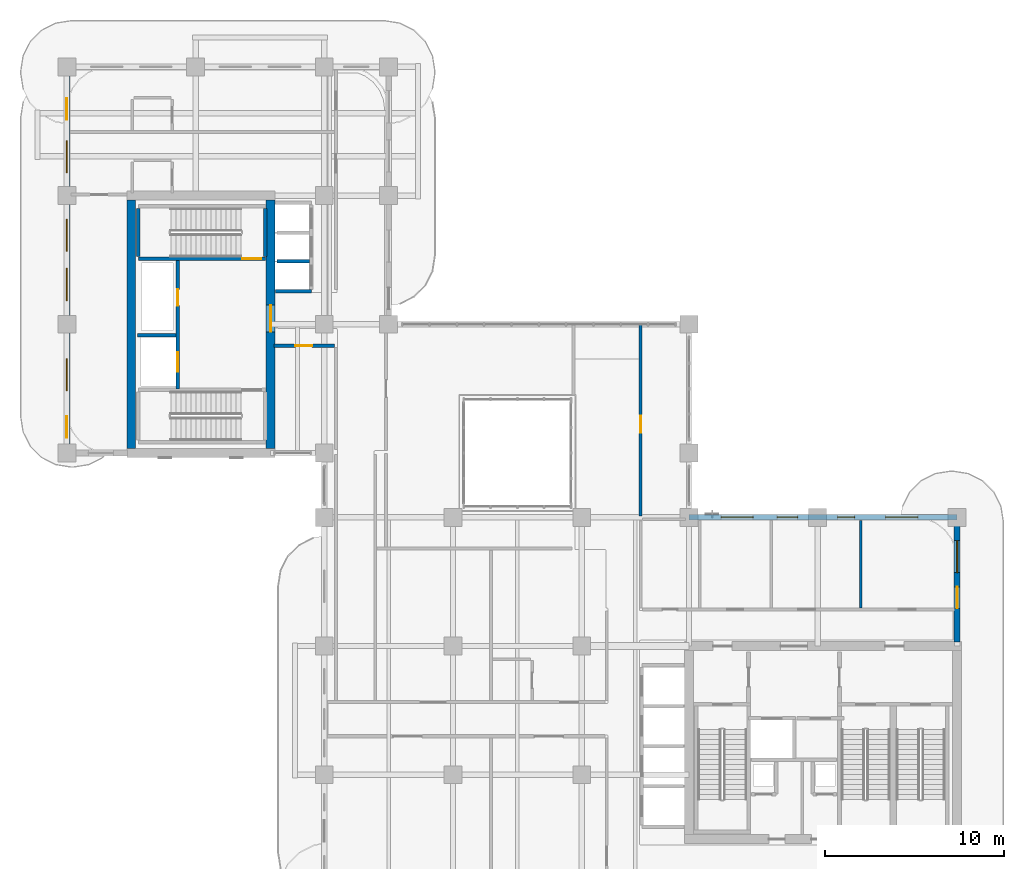
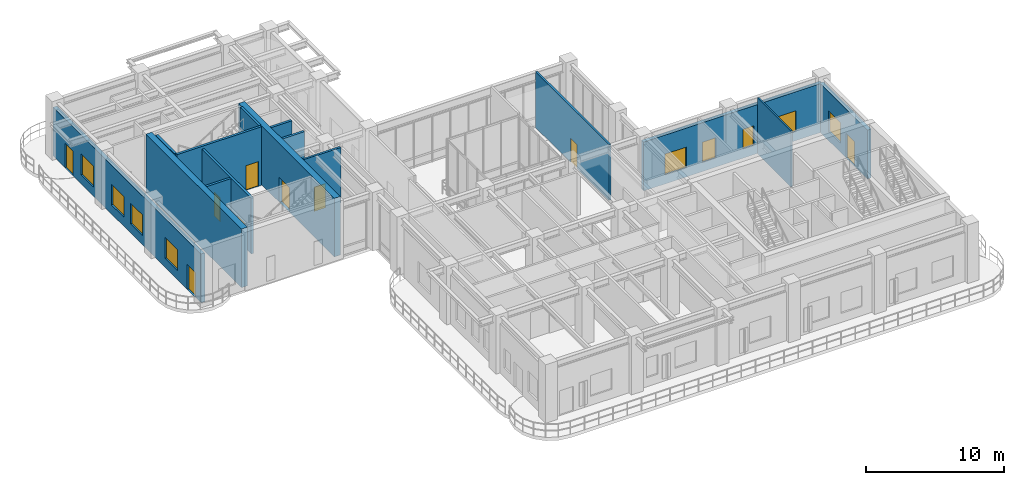
# One storey, part 14 of 21: 15 walls, 9 doors, 9 windows, 18 openings.
"""IFC4 building model written with IfcOpenShell, lengths in metres."""

import ifcopenshell
import ifcopenshell.guid

model = None  # the IFC model being written
_history = None  # IfcOwnerHistory: only IFC2X3 demands one
_inside = {}  # id of a spatial element -> (the spatial element, [elements in it])
_under = {}  # id of a project, library or spatial element -> (it, [spatial elements below it])
_declared = {}  # id of a project -> (the project, [libraries it declares])
_typed = {}  # id of a type object -> (the type object, [elements of that type])
_made_of = {}  # id of a material, layer set ... -> (it, [elements and type objects made of it])


def new_model(schema):
    """Start an empty IFC model of exactly this schema.

    Asked for "IFC4X3", IfcOpenShell would pick the latest addendum, in which some entities
    have other attributes; the version numbers below select the first issue.
    IFC2X3 requires an IfcOwnerHistory on every rooted entity: one is made here for all.
    """
    global model, _history
    if schema == "IFC4X3":
        model = ifcopenshell.file(schema_version=(4, 3, 0, 0))
    else:
        model = ifcopenshell.file(schema=schema)
    _inside.clear()
    _under.clear()
    _declared.clear()
    _typed.clear()
    _made_of.clear()
    _history = None
    if model.schema == "IFC2X3":
        org = make("IfcOrganization", Name="unknown")
        user = make(
            "IfcPersonAndOrganization",
            ThePerson=make("IfcPerson", FamilyName="unknown"),
            TheOrganization=org,
        )
        app = make(
            "IfcApplication",
            ApplicationDeveloper=org,
            Version="unknown",
            ApplicationFullName="unknown",
            ApplicationIdentifier="unknown",
        )
        _history = make(
            "IfcOwnerHistory",
            OwningUser=user,
            OwningApplication=app,
            ChangeAction="ADDED",
            CreationDate=0,
        )
    return model


def make(cls, **values):
    """One entity of the class cls with the attributes given. An attribute that is None is left unset."""
    return model.create_entity(
        cls, **{name: value for name, value in values.items() if value is not None}
    )


def rooted(cls, **values):
    """An entity with a GlobalId (a new one), such as an element, a storey or a relation."""
    return make(cls, GlobalId=ifcopenshell.guid.new(), OwnerHistory=_history, **values)


def si_unit(unit_type, name, prefix=None):
    """IfcSIUnit, for example si_unit("LENGTHUNIT", "METRE", prefix="MILLI")."""
    return make("IfcSIUnit", UnitType=unit_type, Prefix=prefix, Name=name)


def derived_unit(unit_type, elements):
    """IfcDerivedUnit: a product of units, each with its exponent."""
    return make(
        "IfcDerivedUnit",
        Elements=[
            make("IfcDerivedUnitElement", Unit=unit, Exponent=power)
            for unit, power in elements
        ],
        UnitType=unit_type,
    )


def assignment(units):
    """IfcUnitAssignment: the units of a project."""
    return None if units is None else make("IfcUnitAssignment", Units=units)


def point(xyz):
    """IfcCartesianPoint."""
    return None if xyz is None else make("IfcCartesianPoint", Coordinates=xyz)


def direction(xyz):
    """IfcDirection."""
    return None if xyz is None else make("IfcDirection", DirectionRatios=xyz)


def frame(location, z_axis=None, x_axis=None):
    """IfcAxis2Placement3D, a coordinate frame: its origin and axes. An axis left out is left unset."""
    return make(
        "IfcAxis2Placement3D",
        Location=point(location),
        Axis=direction(z_axis),
        RefDirection=direction(x_axis),
    )


def frame_2d(location, x_axis=None):
    """IfcAxis2Placement2D, a coordinate frame in the plane: its origin and x axis."""
    return make(
        "IfcAxis2Placement2D", Location=point(location), RefDirection=direction(x_axis)
    )


def origin():
    """The frame at (0, 0, 0) with its axes left unset."""
    return frame((0.0, 0.0, 0.0))


def place(relative_to, where):
    """IfcLocalPlacement: puts the frame where relative to a parent placement (None: the world)."""
    return make(
        "IfcLocalPlacement", PlacementRelTo=relative_to, RelativePlacement=where
    )


def context(
    kind, dimensions, precision=None, world=None, true_north=None, identifier=None
):
    """IfcGeometricRepresentationContext, for example the 3D "Model" context."""
    return make(
        "IfcGeometricRepresentationContext",
        ContextIdentifier=identifier,
        ContextType=kind,
        CoordinateSpaceDimension=dimensions,
        Precision=precision,
        WorldCoordinateSystem=world,
        TrueNorth=true_north,
    )


def subcontext(parent, identifier, kind, view, scale=None):
    """IfcGeometricRepresentationSubContext, for example "Body" below "Model"."""
    return make(
        "IfcGeometricRepresentationSubContext",
        ContextIdentifier=identifier,
        ContextType=kind,
        ParentContext=parent,
        TargetScale=scale,
        TargetView=view,
    )


def project(units=None, contexts=None):
    """IfcProject with its units and contexts."""
    return rooted(
        "IfcProject",
        Name="project",
        RepresentationContexts=contexts,
        UnitsInContext=assignment(units),
    )


def spatial(cls, under=None, at=None, **own):
    """A site, building, storey or space (cls), placed at a placement, below another one or the project."""
    s = rooted(cls, ObjectPlacement=at, **own)
    if under is not None:
        _under.setdefault(under.id(), (under, []))[1].append(s)
    return s


def profile(cls, at=None, kind="AREA", **sizes):
    """A parametric profile (cls). Its sizes go by their IFC names, for example OverallWidth=200.0."""
    return make(cls, ProfileType=kind, Position=at, **sizes)


def rectangle(**sizes):
    """IfcRectangleProfileDef."""
    return profile("IfcRectangleProfileDef", **sizes)


def extrude(swept, where, along, depth):
    """IfcExtrudedAreaSolid: the profile swept, set in the frame where, extruded along a direction by depth."""
    return make(
        "IfcExtrudedAreaSolid",
        SweptArea=swept,
        Position=where,
        ExtrudedDirection=direction(along),
        Depth=depth,
    )


def shape(context_of_items, identifier, shape_type, items):
    """IfcShapeRepresentation: the items that make up one representation, for example the "Body"."""
    return make(
        "IfcShapeRepresentation",
        ContextOfItems=context_of_items,
        RepresentationIdentifier=identifier,
        RepresentationType=shape_type,
        Items=items,
    )


def source(mapping_origin, context_of_items, identifier, shape_type, items):
    """IfcRepresentationMap: a shape defined once, which mapped items show again and again."""
    return make(
        "IfcRepresentationMap",
        MappingOrigin=mapping_origin,
        MappedRepresentation=shape(context_of_items, identifier, shape_type, items),
    )


def transform(
    local_origin,
    x_axis=None,
    y_axis=None,
    z_axis=None,
    scale=None,
    scale2=None,
    scale3=None,
    uniform=True,
):
    """IfcCartesianTransformationOperator3D, or its non-uniform kind. x_axis, y_axis, z_axis: its Axis1, 2, 3."""
    if uniform:
        return make(
            "IfcCartesianTransformationOperator3D",
            Axis1=direction(x_axis),
            Axis2=direction(y_axis),
            LocalOrigin=point(local_origin),
            Scale=scale,
            Axis3=direction(z_axis),
        )
    return make(
        "IfcCartesianTransformationOperator3DnonUniform",
        Axis1=direction(x_axis),
        Axis2=direction(y_axis),
        LocalOrigin=point(local_origin),
        Scale=scale,
        Axis3=direction(z_axis),
        Scale2=scale2,
        Scale3=scale3,
    )


def mapped(mapping_source, mapping_target):
    """IfcMappedItem: shows the shape of a source again, moved by a transform."""
    return make(
        "IfcMappedItem", MappingSource=mapping_source, MappingTarget=mapping_target
    )


def material(Name=None, Category=None):
    """IfcMaterial."""
    return make("IfcMaterial", Name=Name, Category=Category)


def layer(
    of_material, thickness, ventilated=None, Name=None, Category=None, Priority=None
):
    """IfcMaterialLayer: one layer of a wall or slab, of a material (None: an air gap)."""
    return make(
        "IfcMaterialLayer",
        Material=of_material,
        LayerThickness=thickness,
        IsVentilated=ventilated,
        Name=Name,
        Category=Category,
        Priority=Priority,
    )


def layer_set(layers, Name=None):
    """IfcMaterialLayerSet."""
    return make("IfcMaterialLayerSet", MaterialLayers=layers, LayerSetName=Name)


def made_of(thing, what):
    """Note that an element or type object is made of a material, layer set ...; save() writes the relation."""
    if what is not None:
        _made_of.setdefault(what.id(), (what, []))[1].append(thing)
    return thing


def type_object(cls, material=None, **own):
    """A type object (cls), such as IfcWallType, which elements share."""
    return made_of(rooted(cls, **own), material)


def type_shapes(of_type, sources):
    """Give a type object the sources (RepresentationMaps) that its elements show as mapped items."""
    of_type.RepresentationMaps = sources


def element(
    cls,
    number,
    at=None,
    inside=None,
    cuts=None,
    type_object=None,
    material=None,
    context=None,
    identifier="Body",
    shape_type=None,
    held_by="IfcProductDefinitionShape",
    body=None,
    shapes=None,
    **own,
):
    """One element of the class cls, such as IfcWall. Its Tag is "e" and its number.

    at: its placement. inside: the storey or other place that contains it. cuts: it is an
    opening in that element (IfcRelVoidsElement). A single representation is given by context,
    identifier, shape_type and body (its items); several are given by shapes. held_by: the class
    of the entity that holds the representations. save() writes the other relations.
    """
    e = rooted(cls, Tag="e%d" % number, ObjectPlacement=at, **own)
    if body is not None:
        shapes = [shape(context, identifier, shape_type, body)]
    if shapes is not None:
        e.Representation = make(held_by, Representations=shapes)
    if inside is not None:
        _inside.setdefault(inside.id(), (inside, []))[1].append(e)
    if cuts is not None:
        rooted(
            "IfcRelVoidsElement", RelatingBuildingElement=cuts, RelatedOpeningElement=e
        )
    if type_object is not None:
        _typed.setdefault(type_object.id(), (type_object, []))[1].append(e)
    return made_of(e, material)


def fill(opening, filler):
    """IfcRelFillsElement: the door or window that sits in an opening."""
    return rooted(
        "IfcRelFillsElement",
        RelatingOpeningElement=opening,
        RelatedBuildingElement=filler,
    )


def aggregate(whole, parts):
    """IfcRelAggregates: a whole, such as a stair, and the parts it consists of."""
    return rooted("IfcRelAggregates", RelatingObject=whole, RelatedObjects=parts)


def save(model, path):
    """Write the relations noted so far, then the file.

    IfcRelAggregates (storeys below a building ...), IfcRelContainedInSpatialStructure (elements
    in a storey), IfcRelDefinesByType, IfcRelAssociatesMaterial and IfcRelDeclares: one each for
    every whole, place, type object, material and project.
    """
    for whole, parts in _under.values():
        aggregate(whole, parts)
    for where, things in _inside.values():
        rooted(
            "IfcRelContainedInSpatialStructure",
            RelatedElements=things,
            RelatingStructure=where,
        )
    for kind, things in _typed.values():
        rooted("IfcRelDefinesByType", RelatedObjects=things, RelatingType=kind)
    for what, things in _made_of.values():
        rooted("IfcRelAssociatesMaterial", RelatedObjects=things, RelatingMaterial=what)
    for by, libraries in _declared.values():
        rooted("IfcRelDeclares", RelatingContext=by, RelatedDefinitions=libraries)
    model.write(path)


model = new_model("IFC4")

# Units and contexts
model_context = context("Model", 3, precision=1e-05, world=origin(), true_north=direction((0.0, 1.0)))
body_context = subcontext(model_context, "Body", "Model", "MODEL_VIEW")
ifc_project = project(units=[si_unit("LENGTHUNIT", "METRE"), si_unit("AREAUNIT", "SQUARE_METRE"), si_unit("VOLUMEUNIT", "CUBIC_METRE"), si_unit("PLANEANGLEUNIT", "RADIAN"), si_unit("MASSUNIT", "GRAM", prefix="KILO"), si_unit("THERMODYNAMICTEMPERATUREUNIT", "KELVIN"), si_unit("POWERUNIT", "WATT"), derived_unit("THERMALTRANSMITTANCEUNIT", [(si_unit("POWERUNIT", "WATT"), 1), (si_unit("AREAUNIT", "SQUARE_METRE"), -1), (si_unit("THERMODYNAMICTEMPERATUREUNIT", "KELVIN"), -1)])], contexts=[model_context])

# Site, building, storey
site_placement = place(None, origin())
site = spatial("IfcSite", under=ifc_project, at=site_placement, CompositionType="ELEMENT")
building_placement = place(site_placement, origin())
building = spatial("IfcBuilding", under=site, at=building_placement, Name="Zahravan Archway Hotel and Residences", CompositionType="ELEMENT")
storey_placement = place(building_placement, frame((0.0, 0.0, 145.10009765625)))
storey = spatial("IfcBuildingStorey", under=building, at=storey_placement, Name="L36", CompositionType="ELEMENT", Elevation=145.10009765625)

# Wall
ifc_material_1 = material(Name="Concrete C60/75", Category="concrete")
ifc_layer_1 = layer(ifc_material_1, 0.5, Name="Concrete C60/75", Category="concrete")
ifc_layer_set_1 = layer_set([ifc_layer_1], Name="Concrete C60/75")
wall_type_1 = type_object("IfcWallType", Name="CW-CORE-500", PredefinedType="SHEAR", material=ifc_layer_set_1)
wall_1_placement = place(storey_placement, frame((3.60009765625, 25.449951171875, 0.0), z_axis=(0.0, 0.0, 1.0), x_axis=(0.0, 1.0, 0.0)))
element("IfcWall", 1, at=wall_1_placement, inside=storey, type_object=wall_type_1, Name="L36 Core B Shear W Wall 500 mm", PredefinedType="SHEAR", context=body_context, shape_type="SweptSolid", body=[
    extrude(rectangle(XDim=13.900146484375, YDim=0.5, at=frame_2d((6.9501953125, 0.0))), origin(), (0.0, 0.0, 1.0), 5.199951171875),
])

# Wall, opening, door
wall_2_placement = place(storey_placement, frame((11.39990234375, 25.449951171875, 0.0), z_axis=(0.0, 0.0, 1.0), x_axis=(0.0, 1.0, 0.0)))
wall_2 = element("IfcWall", 2, at=wall_2_placement, inside=storey, type_object=wall_type_1, Name="L36 Core B Shear E Wall 500 mm", PredefinedType="SHEAR", context=body_context, shape_type="SweptSolid", body=[
    extrude(rectangle(XDim=13.900146484375, YDim=0.5, at=frame_2d((6.9501953125, 0.0))), origin(), (0.0, 0.0, 1.0), 5.199951171875),
])
opening_1_placement = place(wall_2_placement, frame((6.52001953125, 0.0, 0.0)))
opening_1 = element("IfcOpeningElement", 3, at=opening_1_placement, cuts=wall_2, Name="Opening FD-L1", PredefinedType="OPENING", context=body_context, shape_type="SweptSolid", body=[
    extrude(rectangle(XDim=1.5, YDim=2.199951171875, at=frame_2d((0.75, 1.10009765625))), frame((0.0, 0.260009765625, 0.0), z_axis=(0.0, -1.0, 0.0), x_axis=(1.0, 0.0, 0.0)), (0.0, 0.0, 1.0), 0.52001953125),
])
ifc_material_2 = material(Name="Fire-Rated Painted Steel", Category="steel")
door_type_1 = type_object("IfcDoorType", Name="FD-LOBBY-1500", OperationType="DOUBLE_DOOR_SINGLE_SWING", PredefinedType="DOOR", material=ifc_material_2)
shared_shape_1 = source(origin(), body_context, "Body", "SweptSolid", [
    extrude(rectangle(XDim=1.5, YDim=2.199951171875, at=frame_2d((0.75, 1.10009765625))), frame((0.0, 0.02490234375, 0.0), z_axis=(0.0, -1.0, 0.0), x_axis=(1.0, 0.0, 0.0)), (0.0, 0.0, 1.0), 0.050048828125),
])
type_shapes(door_type_1, [shared_shape_1])
door_1_placement = place(opening_1_placement, origin())
door_1 = element("IfcDoor", 4, at=door_1_placement, inside=storey, type_object=door_type_1, Name="L36 Core B FSAE Lobby Door", OperationType="DOUBLE_DOOR_SINGLE_SWING", OverallHeight=2.199951171875, OverallWidth=1.5, PredefinedType="DOOR", context=body_context, shape_type="MappedRepresentation", body=[
    mapped(shared_shape_1, transform((0.0, 0.0, 0.0), scale=1.0)),
])
fill(opening_1, door_1)

# Wall, openings, door, window
ifc_material_3 = material(Name="Agra Buff Sandstone & Insulated Backup", Category="masonry")
ifc_layer_2 = layer(ifc_material_3, 0.320068359375, Name="Agra Buff Sandstone & Insulated Backup", Category="masonry")
ifc_layer_set_2 = layer_set([ifc_layer_2], Name="Agra Buff Sandstone & Insulated Backup")
wall_type_2 = type_object("IfcWallType", Name="EW-SAND-320", PredefinedType="SOLIDWALL", material=ifc_layer_set_2)
wall_3_placement = place(storey_placement, frame((49.800048828125, 14.6201171875, 0.0), z_axis=(0.0, 0.0, 1.0), x_axis=(0.0, 1.0, 0.0)))
wall_3 = element("IfcWall", 5, at=wall_3_placement, inside=storey, type_object=wall_type_2, Name="L36 Exterior Sandstone Wall WA-EN", PredefinedType="SOLIDWALL", context=body_context, shape_type="SweptSolid", body=[
    extrude(rectangle(XDim=6.929931640625, YDim=0.320068359375, at=frame_2d((3.46484375, 0.0))), origin(), (0.0, 0.0, 1.0), 4.3349609375),
])
opening_2_placement = place(wall_3_placement, frame((1.888916015625, 0.0, 0.0)))
opening_2 = element("IfcOpeningElement", 6, at=opening_2_placement, cuts=wall_3, Name="Opening ED-BL1", PredefinedType="OPENING", context=body_context, shape_type="SweptSolid", body=[
    extrude(rectangle(XDim=1.199951171875, YDim=2.199951171875, at=frame_2d((0.60009765625, 1.10009765625))), frame((0.0, 0.169921875, 0.0), z_axis=(0.0, -1.0, 0.0), x_axis=(1.0, 0.0, 0.0)), (0.0, 0.0, 1.0), 0.340087890625),
])
opening_3_placement = place(wall_3_placement, frame((3.884033203125, 0.0, 0.800048828125)))
opening_3 = element("IfcOpeningElement", 7, at=opening_3_placement, cuts=wall_3, Name="Opening W-02", PredefinedType="OPENING", context=body_context, shape_type="SweptSolid", body=[
    extrude(rectangle(XDim=1.800048828125, YDim=1.85009765625, at=frame_2d((0.89990234375, 0.925048828125))), frame((0.0, 0.169921875, 0.0), z_axis=(0.0, -1.0, 0.0), x_axis=(1.0, 0.0, 0.0)), (0.0, 0.0, 1.0), 0.340087890625),
])
ifc_material_4 = material(Name="Bronze-Anodized Glazed Aluminium", Category="aluminium")
door_type_2 = type_object("IfcDoorType", Name="ED-BALC-1200", OperationType="SLIDING_TO_LEFT", PredefinedType="DOOR", material=ifc_material_4)
shared_shape_2 = source(origin(), body_context, "Body", "SweptSolid", [
    extrude(rectangle(XDim=1.199951171875, YDim=2.199951171875, at=frame_2d((0.60009765625, 1.10009765625))), frame((0.0, 0.02490234375, 0.0), z_axis=(0.0, -1.0, 0.0), x_axis=(1.0, 0.0, 0.0)), (0.0, 0.0, 1.0), 0.050048828125),
])
type_shapes(door_type_2, [shared_shape_2])
door_2_placement = place(opening_2_placement, origin())
door_2 = element("IfcDoor", 8, at=door_2_placement, inside=storey, type_object=door_type_2, Name="L36 Outdoor Access Sliding Door (SLB-BAL-L36-EA)", OperationType="SLIDING_TO_LEFT", OverallHeight=2.199951171875, OverallWidth=1.199951171875, PredefinedType="DOOR", context=body_context, shape_type="MappedRepresentation", body=[
    mapped(shared_shape_2, transform((0.0, 0.0, 0.0), scale=1.0)),
])
fill(opening_2, door_2)
ifc_material_5 = material(Name="Bronze-Anodized Thermal-Break Aluminium & Low-E Glass", Category="aluminium")
window_type_1 = type_object("IfcWindowType", Name="WIN-TWR-1800", PartitioningType="DOUBLE_PANEL_VERTICAL", PredefinedType="WINDOW", material=ifc_material_5)
shared_shape_3 = source(origin(), body_context, "Body", "SweptSolid", [
    extrude(rectangle(XDim=1.800048828125, YDim=1.85009765625, at=frame_2d((0.89990234375, 0.925048828125))), frame((0.0, 0.030029296875, 0.0), z_axis=(0.0, -1.0, 0.0), x_axis=(1.0, 0.0, 0.0)), (0.0, 0.0, 1.0), 0.06005859375),
])
type_shapes(window_type_1, [shared_shape_3])
window_1_placement = place(opening_3_placement, origin())
window_1 = element("IfcWindow", 9, at=window_1_placement, inside=storey, type_object=window_type_1, Name="L36 Loggia Window 09", OverallHeight=1.85009765625, OverallWidth=1.800048828125, PartitioningType="DOUBLE_PANEL_VERTICAL", PredefinedType="WINDOW", context=body_context, shape_type="MappedRepresentation", body=[
    mapped(shared_shape_3, transform((0.0, 0.0, 0.0), scale=1.0)),
])
fill(opening_3, window_1)

# Wall, openings, windows
wall_4_placement = place(storey_placement, frame((34.800048828125, 21.60009765625, 0.0), z_axis=(0.0, 0.0, 1.0), x_axis=(1.0, 0.0, 0.0)))
wall_4 = element("IfcWall", 10, at=wall_4_placement, inside=storey, type_object=wall_type_2, Name="L36 Exterior Sandstone Wall WA-NE", PredefinedType="SOLIDWALL", context=body_context, shape_type="SweptSolid", body=[
    extrude(rectangle(XDim=15.0, YDim=0.320068359375, at=frame_2d((7.5, 0.0))), origin(), (0.0, 0.0, 1.0), 4.3349609375),
])
opening_4_placement = place(wall_4_placement, frame((1.7958984375, 0.0, 0.800048828125)))
opening_4 = element("IfcOpeningElement", 11, at=opening_4_placement, cuts=wall_4, Name="Opening W-02", PredefinedType="OPENING", context=body_context, shape_type="SweptSolid", body=[
    extrude(rectangle(XDim=1.800048828125, YDim=1.85009765625, at=frame_2d((0.89990234375, 0.925048828125))), frame((0.0, 0.169921875, 0.0), z_axis=(0.0, -1.0, 0.0), x_axis=(1.0, 0.0, 0.0)), (0.0, 0.0, 1.0), 0.340087890625),
])
opening_5_placement = place(wall_4_placement, frame((4.928955078125, 0.0, 0.800048828125)))
opening_5 = element("IfcOpeningElement", 12, at=opening_5_placement, cuts=wall_4, Name="Opening W-05", PredefinedType="OPENING", context=body_context, shape_type="SweptSolid", body=[
    extrude(rectangle(XDim=1.14990234375, YDim=1.800048828125, at=frame_2d((0.574951171875, 0.89990234375))), frame((0.0, 0.169921875, 0.0), z_axis=(0.0, -1.0, 0.0), x_axis=(1.0, 0.0, 0.0)), (0.0, 0.0, 1.0), 0.340087890625),
])
opening_6_placement = place(wall_4_placement, frame((8.321044921875, 0.0, 0.800048828125)))
opening_6 = element("IfcOpeningElement", 13, at=opening_6_placement, cuts=wall_4, Name="Opening W-04", PredefinedType="OPENING", context=body_context, shape_type="SweptSolid", body=[
    extrude(rectangle(XDim=0.949951171875, YDim=1.75, at=frame_2d((0.47509765625, 0.875))), frame((0.0, 0.169921875, 0.0), z_axis=(0.0, -1.0, 0.0), x_axis=(1.0, 0.0, 0.0)), (0.0, 0.0, 1.0), 0.340087890625),
])
opening_7_placement = place(wall_4_placement, frame((11.00390625, 0.0, 0.800048828125)))
opening_7 = element("IfcOpeningElement", 14, at=opening_7_placement, cuts=wall_4, Name="Opening W-02", PredefinedType="OPENING", context=body_context, shape_type="SweptSolid", body=[
    extrude(rectangle(XDim=1.800048828125, YDim=1.85009765625, at=frame_2d((0.89990234375, 0.925048828125))), frame((0.0, 0.169921875, 0.0), z_axis=(0.0, -1.0, 0.0), x_axis=(1.0, 0.0, 0.0)), (0.0, 0.0, 1.0), 0.340087890625),
])
window_type_2 = type_object("IfcWindowType", Name="WIN-NAR-950", PartitioningType="SINGLE_PANEL", PredefinedType="WINDOW", material=ifc_material_5)
shared_shape_4 = source(origin(), body_context, "Body", "SweptSolid", [
    extrude(rectangle(XDim=0.949951171875, YDim=1.75, at=frame_2d((0.47509765625, 0.875))), frame((0.0, 0.030029296875, 0.0), z_axis=(0.0, -1.0, 0.0), x_axis=(1.0, 0.0, 0.0)), (0.0, 0.0, 1.0), 0.06005859375),
])
type_shapes(window_type_2, [shared_shape_4])
window_2_placement = place(opening_6_placement, origin())
window_2 = element("IfcWindow", 15, at=window_2_placement, inside=storey, type_object=window_type_2, Name="L36 Loggia Window 12", OverallHeight=1.75, OverallWidth=0.949951171875, PartitioningType="SINGLE_PANEL", PredefinedType="WINDOW", context=body_context, shape_type="MappedRepresentation", body=[
    mapped(shared_shape_4, transform((0.0, 0.0, 0.0), scale=1.0)),
])
fill(opening_6, window_2)
window_3_placement = place(opening_4_placement, origin())
window_3 = element("IfcWindow", 16, at=window_3_placement, inside=storey, type_object=window_type_1, Name="L36 Loggia Window 10", OverallHeight=1.85009765625, OverallWidth=1.800048828125, PartitioningType="DOUBLE_PANEL_VERTICAL", PredefinedType="WINDOW", context=body_context, shape_type="MappedRepresentation", body=[
    mapped(shared_shape_3, transform((0.0, 0.0, 0.0), scale=1.0)),
])
fill(opening_4, window_3)
window_4_placement = place(opening_7_placement, origin())
window_4 = element("IfcWindow", 17, at=window_4_placement, inside=storey, type_object=window_type_1, Name="L36 Loggia Window 13", OverallHeight=1.85009765625, OverallWidth=1.800048828125, PartitioningType="DOUBLE_PANEL_VERTICAL", PredefinedType="WINDOW", context=body_context, shape_type="MappedRepresentation", body=[
    mapped(shared_shape_3, transform((0.0, 0.0, 0.0), scale=1.0)),
])
fill(opening_7, window_4)
window_type_3 = type_object("IfcWindowType", Name="WIN-TWR-1150", PartitioningType="SINGLE_PANEL", PredefinedType="WINDOW", material=ifc_material_5)
shared_shape_5 = source(origin(), body_context, "Body", "SweptSolid", [
    extrude(rectangle(XDim=1.14990234375, YDim=1.800048828125, at=frame_2d((0.574951171875, 0.89990234375))), frame((0.0, 0.030029296875, 0.0), z_axis=(0.0, -1.0, 0.0), x_axis=(1.0, 0.0, 0.0)), (0.0, 0.0, 1.0), 0.06005859375),
])
type_shapes(window_type_3, [shared_shape_5])
window_5_placement = place(opening_5_placement, origin())
window_5 = element("IfcWindow", 18, at=window_5_placement, inside=storey, type_object=window_type_3, Name="L36 Loggia Window 11", OverallHeight=1.800048828125, OverallWidth=1.14990234375, PartitioningType="SINGLE_PANEL", PredefinedType="WINDOW", context=body_context, shape_type="MappedRepresentation", body=[
    mapped(shared_shape_5, transform((0.0, 0.0, 0.0), scale=1.0)),
])
fill(opening_5, window_5)

# Wall, openings, doors, windows
wall_5_placement = place(storey_placement, frame((0.0, 25.25, 0.0), z_axis=(0.0, 0.0, 1.0), x_axis=(0.0, 1.0, 0.0)))
wall_5 = element("IfcWall", 19, at=wall_5_placement, inside=storey, type_object=wall_type_2, Name="L36 Exterior Sandstone Wall WB-W", PredefinedType="SOLIDWALL", context=body_context, shape_type="SweptSolid", body=[
    extrude(rectangle(XDim=21.5, YDim=0.320068359375, at=frame_2d((10.75, 0.0))), origin(), (0.0, 0.0, 1.0), 4.3349609375),
])
opening_8_placement = place(wall_5_placement, frame((18.60693359375, 0.0, 0.0)))
opening_8 = element("IfcOpeningElement", 20, at=opening_8_placement, cuts=wall_5, Name="Opening ED-BL1", PredefinedType="OPENING", context=body_context, shape_type="SweptSolid", body=[
    extrude(rectangle(XDim=1.199951171875, YDim=2.199951171875, at=frame_2d((0.60009765625, 1.10009765625))), frame((0.0, 0.169921875, 0.0), z_axis=(0.0, -1.0, 0.0), x_axis=(1.0, 0.0, 0.0)), (0.0, 0.0, 1.0), 0.340087890625),
])
opening_9_placement = place(wall_5_placement, frame((0.800048828125, 0.0, 0.0)))
opening_9 = element("IfcOpeningElement", 21, at=opening_9_placement, cuts=wall_5, Name="Opening ED-BL1", PredefinedType="OPENING", context=body_context, shape_type="SweptSolid", body=[
    extrude(rectangle(XDim=1.199951171875, YDim=2.199951171875, at=frame_2d((0.60009765625, 1.10009765625))), frame((0.0, 0.169921875, 0.0), z_axis=(0.0, -1.0, 0.0), x_axis=(1.0, 0.0, 0.0)), (0.0, 0.0, 1.0), 0.340087890625),
])
opening_10_placement = place(wall_5_placement, frame((3.425048828125, 0.0, 0.800048828125)))
opening_10 = element("IfcOpeningElement", 22, at=opening_10_placement, cuts=wall_5, Name="Opening W-02", PredefinedType="OPENING", context=body_context, shape_type="SweptSolid", body=[
    extrude(rectangle(XDim=1.800048828125, YDim=1.85009765625, at=frame_2d((0.89990234375, 0.925048828125))), frame((0.0, 0.169921875, 0.0), z_axis=(0.0, -1.0, 0.0), x_axis=(1.0, 0.0, 0.0)), (0.0, 0.0, 1.0), 0.340087890625),
])
opening_11_placement = place(wall_5_placement, frame((8.47509765625, 0.0, 0.800048828125)))
opening_11 = element("IfcOpeningElement", 23, at=opening_11_placement, cuts=wall_5, Name="Opening W-02", PredefinedType="OPENING", context=body_context, shape_type="SweptSolid", body=[
    extrude(rectangle(XDim=1.800048828125, YDim=1.85009765625, at=frame_2d((0.89990234375, 0.925048828125))), frame((0.0, 0.169921875, 0.0), z_axis=(0.0, -1.0, 0.0), x_axis=(1.0, 0.0, 0.0)), (0.0, 0.0, 1.0), 0.340087890625),
])
opening_12_placement = place(wall_5_placement, frame((11.22509765625, 0.0, 0.800048828125)))
opening_12 = element("IfcOpeningElement", 24, at=opening_12_placement, cuts=wall_5, Name="Opening W-02", PredefinedType="OPENING", context=body_context, shape_type="SweptSolid", body=[
    extrude(rectangle(XDim=1.800048828125, YDim=1.85009765625, at=frame_2d((0.89990234375, 0.925048828125))), frame((0.0, 0.169921875, 0.0), z_axis=(0.0, -1.0, 0.0), x_axis=(1.0, 0.0, 0.0)), (0.0, 0.0, 1.0), 0.340087890625),
])
opening_13_placement = place(wall_5_placement, frame((15.62109375, 0.0, 0.800048828125)))
opening_13 = element("IfcOpeningElement", 25, at=opening_13_placement, cuts=wall_5, Name="Opening W-02", PredefinedType="OPENING", context=body_context, shape_type="SweptSolid", body=[
    extrude(rectangle(XDim=1.800048828125, YDim=1.85009765625, at=frame_2d((0.89990234375, 0.925048828125))), frame((0.0, 0.169921875, 0.0), z_axis=(0.0, -1.0, 0.0), x_axis=(1.0, 0.0, 0.0)), (0.0, 0.0, 1.0), 0.340087890625),
])
door_3_placement = place(opening_8_placement, origin())
door_3 = element("IfcDoor", 26, at=door_3_placement, inside=storey, type_object=door_type_2, Name="L36 Outdoor Access Sliding Door (SLB-BAL-L36-NB)", OperationType="SLIDING_TO_LEFT", OverallHeight=2.199951171875, OverallWidth=1.199951171875, PredefinedType="DOOR", context=body_context, shape_type="MappedRepresentation", body=[
    mapped(shared_shape_2, transform((0.0, 0.0, 0.0), scale=1.0)),
])
fill(opening_8, door_3)
door_4_placement = place(opening_9_placement, origin())
door_4 = element("IfcDoor", 27, at=door_4_placement, inside=storey, type_object=door_type_2, Name="L36 Outdoor Access Sliding Door (SLB-BAL-L36-WB)", OperationType="SLIDING_TO_LEFT", OverallHeight=2.199951171875, OverallWidth=1.199951171875, PredefinedType="DOOR", context=body_context, shape_type="MappedRepresentation", body=[
    mapped(shared_shape_2, transform((0.0, 0.0, 0.0), scale=1.0)),
])
fill(opening_9, door_4)
window_6_placement = place(opening_10_placement, origin())
window_6 = element("IfcWindow", 28, at=window_6_placement, inside=storey, type_object=window_type_1, Name="L36 Loggia Window 21", OverallHeight=1.85009765625, OverallWidth=1.800048828125, PartitioningType="DOUBLE_PANEL_VERTICAL", PredefinedType="WINDOW", context=body_context, shape_type="MappedRepresentation", body=[
    mapped(shared_shape_3, transform((0.0, 0.0, 0.0), scale=1.0)),
])
fill(opening_10, window_6)
window_7_placement = place(opening_11_placement, origin())
window_7 = element("IfcWindow", 29, at=window_7_placement, inside=storey, type_object=window_type_1, Name="L36 Loggia Window 22", OverallHeight=1.85009765625, OverallWidth=1.800048828125, PartitioningType="DOUBLE_PANEL_VERTICAL", PredefinedType="WINDOW", context=body_context, shape_type="MappedRepresentation", body=[
    mapped(shared_shape_3, transform((0.0, 0.0, 0.0), scale=1.0)),
])
fill(opening_11, window_7)
window_8_placement = place(opening_12_placement, origin())
window_8 = element("IfcWindow", 30, at=window_8_placement, inside=storey, type_object=window_type_1, Name="L36 Loggia Window 23", OverallHeight=1.85009765625, OverallWidth=1.800048828125, PartitioningType="DOUBLE_PANEL_VERTICAL", PredefinedType="WINDOW", context=body_context, shape_type="MappedRepresentation", body=[
    mapped(shared_shape_3, transform((0.0, 0.0, 0.0), scale=1.0)),
])
fill(opening_12, window_8)
window_9_placement = place(opening_13_placement, origin())
window_9 = element("IfcWindow", 31, at=window_9_placement, inside=storey, type_object=window_type_1, Name="L36 Loggia Window 24", OverallHeight=1.85009765625, OverallWidth=1.800048828125, PartitioningType="DOUBLE_PANEL_VERTICAL", PredefinedType="WINDOW", context=body_context, shape_type="MappedRepresentation", body=[
    mapped(shared_shape_3, transform((0.0, 0.0, 0.0), scale=1.0)),
])
fill(opening_13, window_9)

# Wall, openings, doors
ifc_material_6 = material(Name="Fire-Rated Gypsum & Concrete Block", Category="concrete")
ifc_layer_3 = layer(ifc_material_6, 0.199951171875, Name="Fire-Rated Gypsum & Concrete Block", Category="concrete")
ifc_layer_set_3 = layer_set([ifc_layer_3], Name="Fire-Rated Gypsum & Concrete Block")
wall_type_3 = type_object("IfcWallType", Name="PW-SHAFT-200", PredefinedType="PARTITIONING", material=ifc_layer_set_3)
wall_6_placement = place(storey_placement, frame((6.199951171875, 28.7900390625, 0.0), z_axis=(0.0, 0.0, 1.0), x_axis=(0.0, 1.0, 0.0)))
wall_6 = element("IfcWall", 32, at=wall_6_placement, inside=storey, type_object=wall_type_3, Name="L36 Partition CB-FL3E", PredefinedType="PARTITIONING", context=body_context, shape_type="SweptSolid", body=[
    extrude(rectangle(XDim=7.219970703125, YDim=0.199951171875, at=frame_2d((3.60986328125, 0.0))), origin(), (0.0, 0.0, 1.0), 4.949951171875),
])
opening_14_placement = place(wall_6_placement, frame((4.659912109375, 0.0, 0.0)))
opening_14 = element("IfcOpeningElement", 33, at=opening_14_placement, cuts=wall_6, Name="Opening FD-R1", PredefinedType="OPENING", context=body_context, shape_type="SweptSolid", body=[
    extrude(rectangle(XDim=0.89990234375, YDim=2.10009765625, at=frame_2d((0.449951171875, 1.050048828125))), frame((0.0, 0.10986328125, 0.0), z_axis=(0.0, -1.0, 0.0), x_axis=(1.0, 0.0, 0.0)), (0.0, 0.0, 1.0), 0.219970703125),
])
opening_15_placement = place(wall_6_placement, frame((0.9599609375, 0.0, 0.0)))
opening_15 = element("IfcOpeningElement", 34, at=opening_15_placement, cuts=wall_6, Name="Opening LD", PredefinedType="OPENING", context=body_context, shape_type="SweptSolid", body=[
    extrude(rectangle(XDim=1.10009765625, YDim=2.199951171875, at=frame_2d((0.550048828125, 1.10009765625))), frame((0.0, 0.10986328125, 0.0), z_axis=(0.0, -1.0, 0.0), x_axis=(1.0, 0.0, 0.0)), (0.0, 0.0, 1.0), 0.219970703125),
])
door_type_3 = type_object("IfcDoorType", Name="FD-RISER-900", OperationType="NOTDEFINED", PredefinedType="DOOR", material=ifc_material_2)
shared_shape_6 = source(origin(), body_context, "Body", "SweptSolid", [
    extrude(rectangle(XDim=0.89990234375, YDim=2.10009765625, at=frame_2d((0.449951171875, 1.050048828125))), frame((0.0, 0.02490234375, 0.0), z_axis=(0.0, -1.0, 0.0), x_axis=(1.0, 0.0, 0.0)), (0.0, 0.0, 1.0), 0.050048828125),
])
type_shapes(door_type_3, [shared_shape_6])
door_5_placement = place(opening_14_placement, origin())
door_5 = element("IfcDoor", 35, at=door_5_placement, inside=storey, type_object=door_type_3, Name="L36 Core B Riser Door", OperationType="SINGLE_SWING_RIGHT", OverallHeight=2.10009765625, OverallWidth=0.89990234375, PredefinedType="DOOR", context=body_context, shape_type="MappedRepresentation", body=[
    mapped(shared_shape_6, transform((0.0, 0.0, 0.0), scale=1.0)),
])
fill(opening_14, door_5)
ifc_material_7 = material(Name="Brushed Stainless Steel", Category="steel")
door_type_4 = type_object("IfcDoorType", Name="DR-LIFT-LD", OperationType="SLIDING_TO_LEFT", PredefinedType="DOOR", material=ifc_material_7)
shared_shape_7 = source(origin(), body_context, "Body", "SweptSolid", [
    extrude(rectangle(XDim=1.10009765625, YDim=2.199951171875, at=frame_2d((0.550048828125, 1.10009765625))), frame((0.0, 0.02490234375, 0.0), z_axis=(0.0, -1.0, 0.0), x_axis=(1.0, 0.0, 0.0)), (0.0, 0.0, 1.0), 0.050048828125),
])
type_shapes(door_type_4, [shared_shape_7])
door_6_placement = place(opening_15_placement, origin())
door_6 = element("IfcDoor", 36, at=door_6_placement, inside=storey, type_object=door_type_4, Name="L36 Lift FL-3 Sliding Landing Door", OperationType="SLIDING_TO_LEFT", OverallHeight=2.199951171875, OverallWidth=1.10009765625, PredefinedType="DOOR", context=body_context, shape_type="MappedRepresentation", body=[
    mapped(shared_shape_7, transform((0.0, 0.0, 0.0), scale=1.0)),
])
fill(opening_15, door_6)

# Walls
wall_7_placement = place(storey_placement, frame((3.9599609375, 31.780029296875, 0.0), z_axis=(0.0, 0.0, 1.0), x_axis=(1.0, 0.0, 0.0)))
element("IfcWall", 37, at=wall_7_placement, inside=storey, type_object=wall_type_3, Name="L36 Partition CB-FL3N", PredefinedType="PARTITIONING", context=body_context, shape_type="SweptSolid", body=[
    extrude(rectangle(XDim=2.130126953125, YDim=0.199951171875, at=frame_2d((1.06494140625, 0.0))), origin(), (0.0, 0.0, 1.0), 4.949951171875),
])
wall_8_placement = place(storey_placement, frame((11.659912109375, 34.25, 0.0), z_axis=(0.0, 0.0, 1.0), x_axis=(1.0, 0.0, 0.0)))
element("IfcWall", 38, at=wall_8_placement, inside=storey, type_object=wall_type_3, Name="L36 Partition B2-S", PredefinedType="PARTITIONING", context=body_context, shape_type="SweptSolid", body=[
    extrude(rectangle(XDim=2.010009765625, YDim=0.199951171875, at=frame_2d((1.0048828125, 0.0))), origin(), (0.0, 0.0, 1.0), 4.949951171875),
])
wall_9_placement = place(storey_placement, frame((11.760009765625, 35.919921875, 0.0), z_axis=(0.0, 0.0, 1.0), x_axis=(1.0, 0.0, 0.0)))
element("IfcWall", 39, at=wall_9_placement, inside=storey, type_object=wall_type_3, Name="L36 Partition B2-D", PredefinedType="PARTITIONING", context=body_context, shape_type="SweptSolid", body=[
    extrude(rectangle(XDim=1.81005859375, YDim=0.199951171875, at=frame_2d((0.905029296875, 0.0))), origin(), (0.0, 0.0, 1.0), 4.949951171875),
])

# Wall, opening, door
ifc_material_8 = material(Name="Acoustic Stud Partition")
ifc_layer_4 = layer(ifc_material_8, 0.169921875, Name="Acoustic Stud Partition")
ifc_layer_set_4 = layer_set([ifc_layer_4], Name="Acoustic Stud Partition")
wall_type_4 = type_object("IfcWallType", Name="PW-UNIT-170", PredefinedType="PARTITIONING", material=ifc_layer_set_4)
wall_10_placement = place(storey_placement, frame((11.590087890625, 31.199951171875, 0.0), z_axis=(0.0, 0.0, 1.0), x_axis=(1.0, 0.0, 0.0)))
wall_10 = element("IfcWall", 40, at=wall_10_placement, inside=storey, type_object=wall_type_4, Name="L36 Partition FB1-N", PredefinedType="PARTITIONING", context=body_context, shape_type="SweptSolid", body=[
    extrude(rectangle(XDim=3.369873046875, YDim=0.169921875, at=frame_2d((1.68505859375, 0.0))), origin(), (0.0, 0.0, 1.0), 4.949951171875),
])
opening_16_placement = place(wall_10_placement, frame((1.18505859375, 0.0, 0.0)))
opening_16 = element("IfcOpeningElement", 41, at=opening_16_placement, cuts=wall_10, Name="Opening D-I1", PredefinedType="OPENING", context=body_context, shape_type="SweptSolid", body=[
    extrude(rectangle(XDim=0.949951171875, YDim=2.14990234375, at=frame_2d((0.47509765625, 1.074951171875))), frame((0.0, 0.094970703125, 0.0), z_axis=(0.0, -1.0, 0.0), x_axis=(1.0, 0.0, 0.0)), (0.0, 0.0, 1.0), 0.18994140625),
])
ifc_material_9 = material(Name="Hardwood Veneer Timber", Category="wood")
door_type_5 = type_object("IfcDoorType", Name="ID-INT-950", OperationType="NOTDEFINED", PredefinedType="DOOR", material=ifc_material_9)
shared_shape_8 = source(origin(), body_context, "Body", "SweptSolid", [
    extrude(rectangle(XDim=0.949951171875, YDim=2.14990234375, at=frame_2d((0.47509765625, 1.074951171875))), frame((0.0, 0.02490234375, 0.0), z_axis=(0.0, -1.0, 0.0), x_axis=(1.0, 0.0, 0.0)), (0.0, 0.0, 1.0), 0.050048828125),
])
type_shapes(door_type_5, [shared_shape_8])
door_7_placement = place(opening_16_placement, origin())
door_7 = element("IfcDoor", 42, at=door_7_placement, inside=storey, type_object=door_type_5, Name="L36 Freed Bank 1 Reading Salon Door", OperationType="SINGLE_SWING_LEFT", OverallHeight=2.14990234375, OverallWidth=0.949951171875, PredefinedType="DOOR", context=body_context, shape_type="MappedRepresentation", body=[
    mapped(shared_shape_8, transform((0.0, 0.0, 0.0), scale=1.0)),
])
fill(opening_16, door_7)

wall_11_placement = place(storey_placement, frame((32.10009765625, 21.669921875, 0.0), z_axis=(0.0, 0.0, 1.0), x_axis=(0.0, 1.0, 0.0)))
wall_11 = element("IfcWall", 43, at=wall_11_placement, inside=storey, type_object=wall_type_4, Name="L36 Partition ATR-E", PredefinedType="PARTITIONING", context=body_context, shape_type="SweptSolid", body=[
    extrude(rectangle(XDim=10.7021484375, YDim=0.169921875, at=frame_2d((5.35107421875, 0.0))), origin(), (0.0, 0.0, 1.0), 4.949951171875),
])
opening_17_placement = place(wall_11_placement, frame((4.655029296875, 0.0, 0.0)))
opening_17 = element("IfcOpeningElement", 44, at=opening_17_placement, cuts=wall_11, Name="Opening D-I1", PredefinedType="OPENING", context=body_context, shape_type="SweptSolid", body=[
    extrude(rectangle(XDim=0.949951171875, YDim=2.14990234375, at=frame_2d((0.47509765625, 1.074951171875))), frame((0.0, 0.094970703125, 0.0), z_axis=(0.0, -1.0, 0.0), x_axis=(1.0, 0.0, 0.0)), (0.0, 0.0, 1.0), 0.18994140625),
])
door_8_placement = place(opening_17_placement, origin())
door_8 = element("IfcDoor", 45, at=door_8_placement, inside=storey, type_object=door_type_5, Name="L36 Atrium Conservatory Door", OperationType="SINGLE_SWING_RIGHT", OverallHeight=2.14990234375, OverallWidth=0.949951171875, PredefinedType="DOOR", context=body_context, shape_type="MappedRepresentation", body=[
    mapped(shared_shape_8, transform((0.0, 0.0, 0.0), scale=1.0)),
])
fill(opening_17, door_8)

# Walls
ifc_material_10 = material(Name="Moisture-Resistant Blockwork", Category="masonry")
ifc_layer_5 = layer(ifc_material_10, 0.139892578125, Name="Moisture-Resistant Blockwork", Category="masonry")
ifc_layer_set_5 = layer_set([ifc_layer_5], Name="Moisture-Resistant Blockwork")
wall_type_5 = type_object("IfcWallType", Name="PW-WET-140", PredefinedType="PARTITIONING", material=ifc_layer_set_5)
wall_12_placement = place(storey_placement, frame((44.39990234375, 16.5400390625, 0.0), z_axis=(0.0, 0.0, 1.0), x_axis=(0.0, 1.0, 0.0)))
element("IfcWall", 46, at=wall_12_placement, inside=storey, type_object=wall_type_5, Name="L36 Partition NE2-3", PredefinedType="PARTITIONING", context=body_context, shape_type="SweptSolid", body=[
    extrude(rectangle(XDim=4.891845703125, YDim=0.139892578125, at=frame_2d((2.44580078125, 0.0))), origin(), (0.0, 0.0, 1.0), 4.949951171875),
])
ifc_material_11 = material(Name="Concrete C50/60", Category="concrete")
ifc_layer_6 = layer(ifc_material_11, 0.199951171875, Name="Concrete C50/60", Category="concrete")
ifc_layer_set_6 = layer_set([ifc_layer_6], Name="Concrete C50/60")
wall_type_6 = type_object("IfcWallType", Name="SW-STAIR-200", PredefinedType="SHEAR", material=ifc_layer_set_6)
for number, where, z_axis, x_axis, name in (
    (47, (4.0, 36.179931640625, 0.0), (0.0, 0.0, 1.0), (0.0, 1.0, 0.0), "L36 Stairwell RC Wall CB-SB2W"),
    (48, (11.10009765625, 36.179931640625, 0.0), (0.0, 0.0, 1.0), (0.0, 1.0, 0.0), "L36 Stairwell RC Wall CB-SB2E"),
):
    element("IfcWall", number, at=place(storey_placement, frame(where, z_axis=z_axis, x_axis=x_axis)), inside=storey, type_object=wall_type_6, Name=name, PredefinedType="SHEAR", context=body_context, shape_type="SweptSolid", body=[
        extrude(rectangle(XDim=2.699951171875, YDim=0.199951171875, at=frame_2d((1.35009765625, 0.0))), origin(), (0.0, 0.0, 1.0), 5.199951171875),
    ])

# Wall, opening, door
wall_13_placement = place(storey_placement, frame((4.0, 36.06005859375, 0.0), z_axis=(0.0, 0.0, 1.0), x_axis=(1.0, 0.0, 0.0)))
wall_13 = element("IfcWall", 49, at=wall_13_placement, inside=storey, type_object=wall_type_6, Name="L36 Stairwell RC Wall CB-SB2S", PredefinedType="SHEAR", context=body_context, shape_type="SweptSolid", body=[
    extrude(rectangle(XDim=7.10009765625, YDim=0.199951171875, at=frame_2d((3.550048828125, 0.0))), origin(), (0.0, 0.0, 1.0), 5.199951171875),
])
opening_18_placement = place(wall_13_placement, frame((5.81494140625, 0.0, 0.0)))
opening_18 = element("IfcOpeningElement", 50, at=opening_18_placement, cuts=wall_13, Name="Opening FD-S1", PredefinedType="OPENING", context=body_context, shape_type="SweptSolid", body=[
    extrude(rectangle(XDim=1.050048828125, YDim=2.199951171875, at=frame_2d((0.52490234375, 1.10009765625))), frame((0.0, 0.10986328125, 0.0), z_axis=(0.0, -1.0, 0.0), x_axis=(1.0, 0.0, 0.0)), (0.0, 0.0, 1.0), 0.219970703125),
])
door_type_6 = type_object("IfcDoorType", Name="FD-STAIR-1100", OperationType="NOTDEFINED", PredefinedType="DOOR", material=ifc_material_2)
shared_shape_9 = source(origin(), body_context, "Body", "SweptSolid", [
    extrude(rectangle(XDim=1.050048828125, YDim=2.199951171875, at=frame_2d((0.52490234375, 1.10009765625))), frame((0.0, 0.02490234375, 0.0), z_axis=(0.0, -1.0, 0.0), x_axis=(1.0, 0.0, 0.0)), (0.0, 0.0, 1.0), 0.050048828125),
])
type_shapes(door_type_6, [shared_shape_9])
door_9_placement = place(opening_18_placement, origin())
door_9 = element("IfcDoor", 51, at=door_9_placement, inside=storey, type_object=door_type_6, Name="L36 Stair ST-B2 Door", OperationType="SINGLE_SWING_LEFT", OverallHeight=2.199951171875, OverallWidth=1.050048828125, PredefinedType="DOOR", context=body_context, shape_type="MappedRepresentation", body=[
    mapped(shared_shape_9, transform((0.0, 0.0, 0.0), scale=1.0)),
])
fill(opening_18, door_9)

save(model, "model.ifc")
